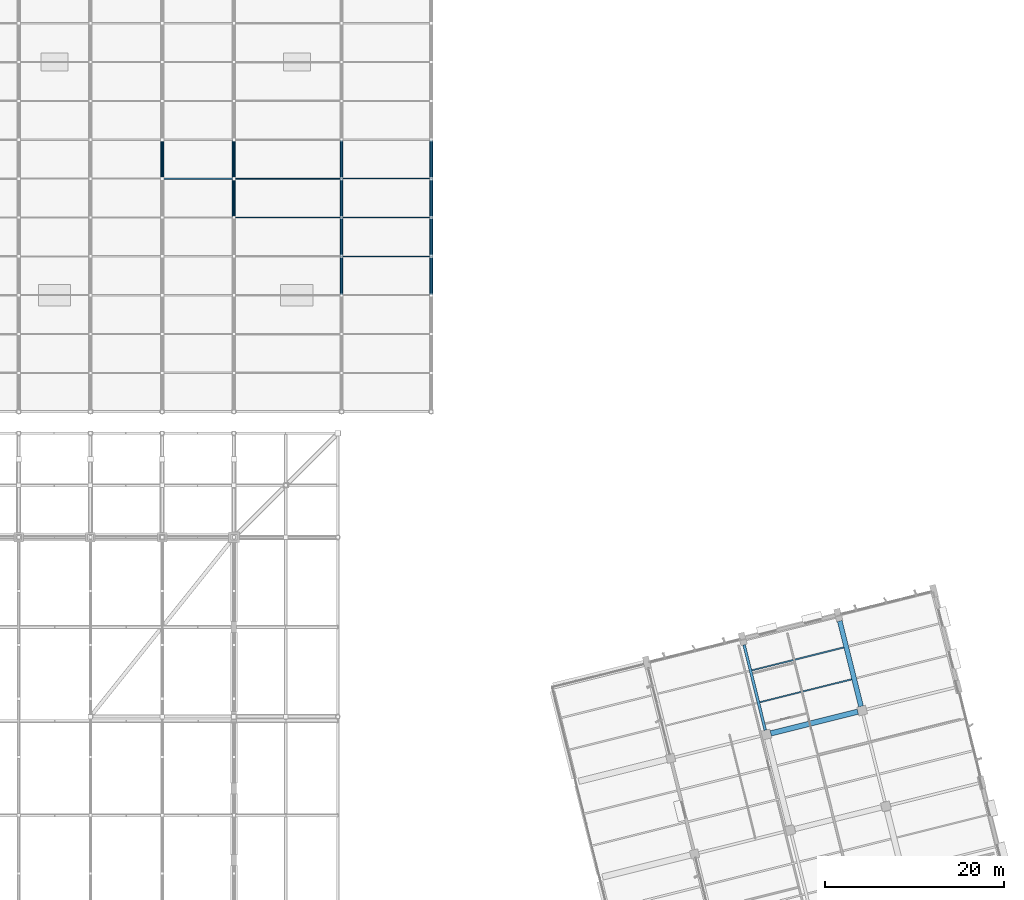
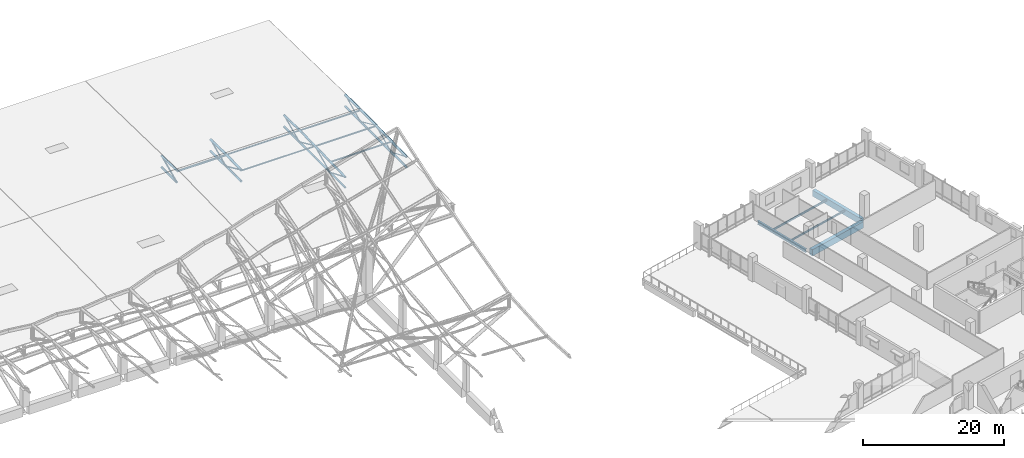
# One storey, part 47 of 75: 39 members, 5 beams.
"""IFC4 building model written with IfcOpenShell, lengths in metres."""

from ifc_helpers import new_model, si_unit, direction, frame, origin, origin_2d, place, context, subcontext, project, spatial, rectangle, hollow_circle, i_section, extrude, material, material_profile, profile_set, type_object, element, save


model = new_model("IFC4")

# Units and contexts
model_context = context("Model", 3, precision=1e-05, world=origin(), true_north=direction((0.0, 1.0)))
body_context = subcontext(model_context, "Body", "Model", "MODEL_VIEW")
ifc_project = project(units=[si_unit("LENGTHUNIT", "METRE"), si_unit("AREAUNIT", "SQUARE_METRE"), si_unit("VOLUMEUNIT", "CUBIC_METRE"), si_unit("PLANEANGLEUNIT", "RADIAN"), si_unit("MASSUNIT", "GRAM", prefix="KILO")], contexts=[model_context])

# Site, building, storey
site_placement = place(None, origin())
site = spatial("IfcSite", under=ifc_project, at=site_placement, CompositionType="ELEMENT")
building_placement = place(site_placement, origin())
building = spatial("IfcBuilding", under=site, at=building_placement, Name="Khorjan Park Terminus", CompositionType="ELEMENT")
storey_placement = place(building_placement, frame((0.0, 0.0, 16.2)))
storey = spatial("IfcBuildingStorey", under=building, at=storey_placement, Name="L03", CompositionType="ELEMENT", Elevation=16.2)

# Beams
ifc_material_1 = material(Name="Steel S355", Category="steel")
ifc_material_profile_1 = material_profile(ifc_material_1, i_section(OverallWidth=0.3, OverallDepth=0.6, WebThickness=0.0155, FlangeThickness=0.03, FilletRadius=0.027, at=origin_2d()), Name="HEB 600")
ifc_profile_set_1 = profile_set([ifc_material_profile_1], Name="Steel S355")
beam_type_1 = type_object("IfcBeamType", Name="BM-HEB600", PredefinedType="BEAM", material=ifc_profile_set_1)
beam_1_placement = place(storey_placement, frame((195.2676, 66.4911, -0.65), z_axis=(-0.241926355562, 0.970294614272, 0.0), x_axis=(-0.970294614272, -0.241926355562, 0.0)))
element("IfcBeam", 1, at=beam_1_placement, inside=storey, type_object=beam_type_1, Name="Primary skew-grid floor girder SB-B60 (L03)", PredefinedType="BEAM", context=body_context, shape_type="SweptSolid", body=[
    extrude(i_section(OverallWidth=0.3, OverallDepth=0.6, WebThickness=0.0155, FlangeThickness=0.03, FilletRadius=0.027, at=origin_2d()), origin(), (0.0, 0.0, 1.0), 9.81),
])
ifc_material_2 = material(Name="Concrete C40/50", Category="concrete")
ifc_material_profile_2 = material_profile(ifc_material_2, rectangle(XDim=0.55, YDim=1.05, at=origin_2d()), Name="RC 550x1050")
ifc_profile_set_2 = profile_set([ifc_material_profile_2], Name="Concrete C40/50")
beam_type_2 = type_object("IfcBeamType", Name="BM-RC550x1050", PredefinedType="BEAM", material=ifc_profile_set_2)
beam_2_placement = place(storey_placement, frame((205.9408, 69.1523, -0.875), z_axis=(-0.241916758476, 0.97029700709, 0.0), x_axis=(-0.97029700709, -0.241916758476, 0.0)))
element("IfcBeam", 2, at=beam_2_placement, inside=storey, type_object=beam_type_2, Name="Primary skew-grid floor girder GB-105 (L03)", PredefinedType="BEAM", context=body_context, shape_type="SweptSolid", body=[
    extrude(rectangle(XDim=0.55, YDim=1.05, at=origin_2d()), origin(), (0.0, 0.0, 1.0), 9.81),
])
ifc_material_profile_3 = material_profile(ifc_material_2, rectangle(XDim=0.6, YDim=1.1, at=origin_2d()), Name="RC 600x1100")
ifc_profile_set_3 = profile_set([ifc_material_profile_3], Name="Concrete C40/50")
beam_type_3 = type_object("IfcBeamType", Name="BM-RC600x1100", PredefinedType="BEAM", material=ifc_profile_set_3)
beam_3_placement = place(storey_placement, frame((195.8676, 66.1306, -0.9), z_axis=(0.970296854054, 0.241917372283, 0.0), x_axis=(-0.241917372283, 0.970296854054, 0.0)))
element("IfcBeam", 3, at=beam_3_placement, inside=storey, type_object=beam_type_3, Name="Primary skew-grid floor girder GB-11 (L03)", PredefinedType="BEAM", context=body_context, shape_type="SweptSolid", body=[
    extrude(rectangle(XDim=0.6, YDim=1.1, at=origin_2d()), origin(), (0.0, 0.0, 1.0), 10.01),
])
ifc_material_profile_4 = material_profile(ifc_material_1, i_section(OverallWidth=0.15, OverallDepth=0.3, WebThickness=0.0071, FlangeThickness=0.0107, FilletRadius=0.015, at=origin_2d()), Name="IPE 300")
ifc_profile_set_4 = profile_set([ifc_material_profile_4], Name="Steel S355")
beam_type_4 = type_object("IfcBeamType", Name="JS-IPE300", PredefinedType="JOIST", material=ifc_profile_set_4)
beam_4_placement = place(storey_placement, frame((194.6458, 69.6049, -0.5), z_axis=(0.970296385626, 0.241919251074, 0.0), x_axis=(-0.241919251074, 0.970296385626, 0.0)))
element("IfcBeam", 4, at=beam_4_placement, inside=storey, type_object=beam_type_4, Name="Secondary composite floor joist SJ-30 (L03)", PredefinedType="JOIST", context=body_context, shape_type="SweptSolid", body=[
    extrude(i_section(OverallWidth=0.15, OverallDepth=0.3, WebThickness=0.0071, FlangeThickness=0.0107, FilletRadius=0.015, at=origin_2d()), origin(), (0.0, 0.0, 1.0), 10.575),
])
ifc_material_profile_5 = material_profile(ifc_material_1, i_section(OverallWidth=0.16, OverallDepth=0.33, WebThickness=0.0075, FlangeThickness=0.0115, FilletRadius=0.018, at=origin_2d()), Name="IPE 330")
ifc_profile_set_5 = profile_set([ifc_material_profile_5], Name="Steel S355")
beam_type_5 = type_object("IfcBeamType", Name="JS-IPE330", PredefinedType="JOIST", material=ifc_profile_set_5)
beam_5_placement = place(storey_placement, frame((193.7588, 73.1626, -0.515), z_axis=(0.970295832192, 0.241921470792, 0.0), x_axis=(-0.241921470792, 0.970295832192, 0.0)))
element("IfcBeam", 5, at=beam_5_placement, inside=storey, type_object=beam_type_5, Name="Secondary composite floor joist SJ-33 (L03)", PredefinedType="JOIST", context=body_context, shape_type="SweptSolid", body=[
    extrude(i_section(OverallWidth=0.16, OverallDepth=0.33, WebThickness=0.0075, FlangeThickness=0.0115, FilletRadius=0.018, at=origin_2d()), origin(), (0.0, 0.0, 1.0), 10.5749),
])

# Members
ifc_material_profile_6 = material_profile(ifc_material_1, hollow_circle(Radius=0.0842, WallThickness=0.008, at=origin_2d()), Name="CHS 168.3x8")
ifc_profile_set_6 = profile_set([ifc_material_profile_6], Name="Steel S355")
member_type_1 = type_object("IfcMemberType", Name="MB-BR-168", PredefinedType="BRACE", material=ifc_profile_set_6)
member_1_placement = place(storey_placement, frame((158.0, 115.0, -0.825), z_axis=(0.0, 0.92537575721, -0.379051062481), x_axis=(-1.0, 0.0, 0.0)))
element("IfcMember", 6, at=member_1_placement, inside=storey, type_object=member_type_1, Name="Train shed flat truss web diagonal TB-17 (T19)", PredefinedType="BRACE", context=body_context, shape_type="SweptSolid", body=[
    extrude(hollow_circle(Radius=0.0842, WallThickness=0.008, at=origin_2d()), origin(), (0.0, 0.0, 1.0), 4.6827),
])
for number, where, z_axis, x_axis, name in (
    (7, (158.0, 119.3333, -2.6), (0.0, 0.911269553162, 0.411810395061), (-1.0, 0.0, 0.0), "Train shed flat truss web diagonal TB-17 (T19)"),
    (8, (158.0, 123.6667, -0.6417), (0.0, 0.911265986802, -0.411818286745), (-1.0, 0.0, 0.0), "Train shed flat truss web diagonal TB-17 (T19)"),
    (9, (158.0, 128.0, -2.6), (0.0, 0.911265986802, 0.411818286745), (-1.0, 0.0, 0.0), "Train shed flat truss web diagonal TB-17 (T19)"),
):
    element("IfcMember", number, at=place(storey_placement, frame(where, z_axis=z_axis, x_axis=x_axis)), inside=storey, type_object=member_type_1, Name=name, PredefinedType="BRACE", context=body_context, shape_type="SweptSolid", body=[
        extrude(hollow_circle(Radius=0.0842, WallThickness=0.008, at=origin_2d()), origin(), (0.0, 0.0, 1.0), 4.7553),
    ])
ifc_material_profile_7 = material_profile(ifc_material_1, hollow_circle(Radius=0.0969, WallThickness=0.01, at=origin_2d()), Name="CHS 193.7x10")
ifc_profile_set_7 = profile_set([ifc_material_profile_7], Name="Steel S355")
member_type_2 = type_object("IfcMemberType", Name="MB-BR-194", PredefinedType="BRACE", material=ifc_profile_set_7)
member_2_placement = place(storey_placement, frame((148.0, 115.0, -0.825), z_axis=(0.0, 0.92537575721, -0.379051062481), x_axis=(-1.0, 0.0, 0.0)))
element("IfcMember", 10, at=member_2_placement, inside=storey, type_object=member_type_2, Name="Train shed flat truss web diagonal TB-19 (T18)", PredefinedType="BRACE", context=body_context, shape_type="SweptSolid", body=[
    extrude(hollow_circle(Radius=0.0969, WallThickness=0.01, at=origin_2d()), origin(), (0.0, 0.0, 1.0), 4.6827),
])
for number, where, z_axis, x_axis, name in (
    (11, (148.0, 119.3333, -2.6), (0.0, 0.911269553162, 0.411810395061), (-1.0, 0.0, 0.0), "Train shed flat truss web diagonal TB-19 (T18)"),
    (12, (148.0, 123.6667, -0.6417), (0.0, 0.911265986802, -0.411818286745), (-1.0, 0.0, 0.0), "Train shed flat truss web diagonal TB-19 (T18)"),
    (13, (148.0, 128.0, -2.6), (0.0, 0.911265986802, 0.411818286745), (-1.0, 0.0, 0.0), "Train shed flat truss web diagonal TB-19 (T18)"),
):
    element("IfcMember", number, at=place(storey_placement, frame(where, z_axis=z_axis, x_axis=x_axis)), inside=storey, type_object=member_type_2, Name=name, PredefinedType="BRACE", context=body_context, shape_type="SweptSolid", body=[
        extrude(hollow_circle(Radius=0.0969, WallThickness=0.01, at=origin_2d()), origin(), (0.0, 0.0, 1.0), 4.7553),
    ])
ifc_material_profile_8 = material_profile(ifc_material_1, hollow_circle(Radius=0.1095, WallThickness=0.01, at=origin_2d()), Name="CHS 219.1x10")
ifc_profile_set_8 = profile_set([ifc_material_profile_8], Name="Steel S355")
member_type_3 = type_object("IfcMemberType", Name="MB-BR-219", PredefinedType="BRACE", material=ifc_profile_set_8)
for number, where, z_axis, x_axis, name in (
    (14, (136.0, 123.6667, -0.6417), (0.0, 0.911265986802, -0.411818286745), (-1.0, 0.0, 0.0), "Train shed flat truss web diagonal TB-22 (T17)"),
    (15, (136.0, 128.0, -2.6), (0.0, 0.911265986802, 0.411818286745), (-1.0, 0.0, 0.0), "Train shed flat truss web diagonal TB-22 (T17)"),
):
    element("IfcMember", number, at=place(storey_placement, frame(where, z_axis=z_axis, x_axis=x_axis)), inside=storey, type_object=member_type_3, Name=name, PredefinedType="BRACE", context=body_context, shape_type="SweptSolid", body=[
        extrude(hollow_circle(Radius=0.1095, WallThickness=0.01, at=origin_2d()), origin(), (0.0, 0.0, 1.0), 4.7553),
    ])
ifc_material_profile_9 = material_profile(ifc_material_1, hollow_circle(Radius=0.1222, WallThickness=0.0125, at=origin_2d()), Name="CHS 244.5x12.5")
ifc_profile_set_9 = profile_set([ifc_material_profile_9], Name="Steel S355")
member_type_4 = type_object("IfcMemberType", Name="MB-BR-245", PredefinedType="BRACE", material=ifc_profile_set_9)
member_3_placement = place(storey_placement, frame((128.0, 128.0, -2.6), z_axis=(0.0, 0.911265986802, 0.411818286745), x_axis=(-1.0, 0.0, 0.0)))
element("IfcMember", 16, at=member_3_placement, inside=storey, type_object=member_type_4, Name="Train shed flat truss web diagonal TB-24 (T16)", PredefinedType="BRACE", context=body_context, shape_type="SweptSolid", body=[
    extrude(hollow_circle(Radius=0.1222, WallThickness=0.0125, at=origin_2d()), origin(), (0.0, 0.0, 1.0), 4.7553),
])
ifc_material_profile_10 = material_profile(ifc_material_1, hollow_circle(Radius=0.162, WallThickness=0.0125, at=origin_2d()), Name="CHS 323.9x12.5")
ifc_profile_set_10 = profile_set([ifc_material_profile_10], Name="Steel S355")
member_type_5 = type_object("IfcMemberType", Name="MB-CH-324", PredefinedType="CHORD", material=ifc_profile_set_10)
for number, where, z_axis, x_axis, name in (
    (17, (128.0, 128.0, -2.6), (0.0, 1.0, 0.0), (-1.0, 0.0, 0.0), "Train shed flat truss bottom chord TC-32 (T16)"),
    (18, (148.0, 115.0, -2.6), (0.0, 1.0, 0.0), (-1.0, 0.0, 0.0), "Train shed flat truss bottom chord TC-32 (T18)"),
):
    element("IfcMember", number, at=place(storey_placement, frame(where, z_axis=z_axis, x_axis=x_axis)), inside=storey, type_object=member_type_5, Name=name, PredefinedType="CHORD", context=body_context, shape_type="SweptSolid", body=[
        extrude(hollow_circle(Radius=0.162, WallThickness=0.0125, at=origin_2d()), origin(), (0.0, 0.0, 1.0), 4.3333),
    ])
member_4_placement = place(storey_placement, frame((148.0, 119.3333, -2.6), z_axis=(0.0, 1.0, 0.0), x_axis=(-1.0, 0.0, 0.0)))
element("IfcMember", 19, at=member_4_placement, inside=storey, type_object=member_type_5, Name="Train shed flat truss bottom chord TC-32 (T18)", PredefinedType="CHORD", context=body_context, shape_type="SweptSolid", body=[
    extrude(hollow_circle(Radius=0.162, WallThickness=0.0125, at=origin_2d()), origin(), (0.0, 0.0, 1.0), 4.3334),
])
for number, where, z_axis, x_axis, name in (
    (20, (148.0, 123.6667, -2.6), (0.0, 1.0, 0.0), (-1.0, 0.0, 0.0), "Train shed flat truss bottom chord TC-32 (T18)"),
    (21, (148.0, 128.0, -2.6), (0.0, 1.0, 0.0), (-1.0, 0.0, 0.0), "Train shed flat truss bottom chord TC-32 (T18)"),
):
    element("IfcMember", number, at=place(storey_placement, frame(where, z_axis=z_axis, x_axis=x_axis)), inside=storey, type_object=member_type_5, Name=name, PredefinedType="CHORD", context=body_context, shape_type="SweptSolid", body=[
        extrude(hollow_circle(Radius=0.162, WallThickness=0.0125, at=origin_2d()), origin(), (0.0, 0.0, 1.0), 4.3333),
    ])
ifc_material_profile_11 = material_profile(ifc_material_1, hollow_circle(Radius=0.1778, WallThickness=0.016, at=origin_2d()), Name="CHS 355.6x16")
ifc_profile_set_11 = profile_set([ifc_material_profile_11], Name="Steel S355")
member_type_6 = type_object("IfcMemberType", Name="MB-CH-356", PredefinedType="CHORD", material=ifc_profile_set_11)
member_5_placement = place(storey_placement, frame((128.0, 128.0, -0.55), z_axis=(0.0, 0.999776166375, -0.021156964544), x_axis=(-1.0, 0.0, 0.0)))
element("IfcMember", 22, at=member_5_placement, inside=storey, type_object=member_type_6, Name="Train shed flat truss top chord TC-36 (T16)", PredefinedType="CHORD", context=body_context, shape_type="SweptSolid", body=[
    extrude(hollow_circle(Radius=0.1778, WallThickness=0.016, at=origin_2d()), origin(), (0.0, 0.0, 1.0), 4.3343),
])
for number, where, z_axis, x_axis, name in (
    (23, (136.0, 123.6667, -2.6), (0.0, 1.0, 0.0), (-1.0, 0.0, 0.0), "Train shed flat truss bottom chord TC-36 (T17)"),
    (24, (136.0, 128.0, -2.6), (0.0, 1.0, 0.0), (-1.0, 0.0, 0.0), "Train shed flat truss bottom chord TC-36 (T17)"),
):
    element("IfcMember", number, at=place(storey_placement, frame(where, z_axis=z_axis, x_axis=x_axis)), inside=storey, type_object=member_type_6, Name=name, PredefinedType="CHORD", context=body_context, shape_type="SweptSolid", body=[
        extrude(hollow_circle(Radius=0.1778, WallThickness=0.016, at=origin_2d()), origin(), (0.0, 0.0, 1.0), 4.3333),
    ])
member_6_placement = place(storey_placement, frame((148.0, 115.0, -0.825), z_axis=(0.0, 0.999776166375, 0.021156964544), x_axis=(-1.0, 0.0, 0.0)))
element("IfcMember", 25, at=member_6_placement, inside=storey, type_object=member_type_6, Name="Train shed flat truss top chord TC-36 (T18)", PredefinedType="CHORD", context=body_context, shape_type="SweptSolid", body=[
    extrude(hollow_circle(Radius=0.1778, WallThickness=0.016, at=origin_2d()), origin(), (0.0, 0.0, 1.0), 4.3343),
])
member_7_placement = place(storey_placement, frame((148.0, 119.3333, -0.7333), z_axis=(0.0, 0.999776664437, 0.021133415439), x_axis=(-1.0, 0.0, 0.0)))
element("IfcMember", 26, at=member_7_placement, inside=storey, type_object=member_type_6, Name="Train shed flat truss top chord TC-36 (T18)", PredefinedType="CHORD", context=body_context, shape_type="SweptSolid", body=[
    extrude(hollow_circle(Radius=0.1778, WallThickness=0.016, at=origin_2d()), origin(), (0.0, 0.0, 1.0), 4.3344),
])
for number, where, z_axis, x_axis, name in (
    (27, (148.0, 123.6667, -0.6417), (0.0, 0.999776166375, 0.021156964544), (-1.0, 0.0, 0.0), "Train shed flat truss top chord TC-36 (T18)"),
    (28, (148.0, 128.0, -0.55), (0.0, 0.999776166375, -0.021156964544), (-1.0, 0.0, 0.0), "Train shed flat truss top chord TC-36 (T18)"),
):
    element("IfcMember", number, at=place(storey_placement, frame(where, z_axis=z_axis, x_axis=x_axis)), inside=storey, type_object=member_type_6, Name=name, PredefinedType="CHORD", context=body_context, shape_type="SweptSolid", body=[
        extrude(hollow_circle(Radius=0.1778, WallThickness=0.016, at=origin_2d()), origin(), (0.0, 0.0, 1.0), 4.3343),
    ])
member_8_placement = place(storey_placement, frame((158.0, 115.0, -2.6), z_axis=(0.0, 1.0, 0.0), x_axis=(-1.0, 0.0, 0.0)))
element("IfcMember", 29, at=member_8_placement, inside=storey, type_object=member_type_6, Name="Train shed flat truss bottom chord TC-36 (T19)", PredefinedType="CHORD", context=body_context, shape_type="SweptSolid", body=[
    extrude(hollow_circle(Radius=0.1778, WallThickness=0.016, at=origin_2d()), origin(), (0.0, 0.0, 1.0), 4.3333),
])
member_9_placement = place(storey_placement, frame((158.0, 119.3333, -2.6), z_axis=(0.0, 1.0, 0.0), x_axis=(-1.0, 0.0, 0.0)))
element("IfcMember", 30, at=member_9_placement, inside=storey, type_object=member_type_6, Name="Train shed flat truss bottom chord TC-36 (T19)", PredefinedType="CHORD", context=body_context, shape_type="SweptSolid", body=[
    extrude(hollow_circle(Radius=0.1778, WallThickness=0.016, at=origin_2d()), origin(), (0.0, 0.0, 1.0), 4.3334),
])
for number, where, z_axis, x_axis, name in (
    (31, (158.0, 123.6667, -2.6), (0.0, 1.0, 0.0), (-1.0, 0.0, 0.0), "Train shed flat truss bottom chord TC-36 (T19)"),
    (32, (158.0, 128.0, -2.6), (0.0, 1.0, 0.0), (-1.0, 0.0, 0.0), "Train shed flat truss bottom chord TC-36 (T19)"),
):
    element("IfcMember", number, at=place(storey_placement, frame(where, z_axis=z_axis, x_axis=x_axis)), inside=storey, type_object=member_type_6, Name=name, PredefinedType="CHORD", context=body_context, shape_type="SweptSolid", body=[
        extrude(hollow_circle(Radius=0.1778, WallThickness=0.016, at=origin_2d()), origin(), (0.0, 0.0, 1.0), 4.3333),
    ])
ifc_material_profile_12 = material_profile(ifc_material_1, hollow_circle(Radius=0.2032, WallThickness=0.016, at=origin_2d()), Name="CHS 406.4x16")
ifc_profile_set_12 = profile_set([ifc_material_profile_12], Name="Steel S355")
member_type_7 = type_object("IfcMemberType", Name="MB-CH-406", PredefinedType="CHORD", material=ifc_profile_set_12)
for number, where, z_axis, x_axis, name in (
    (33, (136.0, 123.6667, -0.6417), (0.0, 0.999776166375, 0.021156964544), (-1.0, 0.0, 0.0), "Train shed flat truss top chord TC-41 (T17)"),
    (34, (136.0, 128.0, -0.55), (0.0, 0.999776166375, -0.021156964544), (-1.0, 0.0, 0.0), "Train shed flat truss top chord TC-41 (T17)"),
    (35, (158.0, 115.0, -0.825), (0.0, 0.999776166375, 0.021156964544), (-1.0, 0.0, 0.0), "Train shed flat truss top chord TC-41 (T19)"),
):
    element("IfcMember", number, at=place(storey_placement, frame(where, z_axis=z_axis, x_axis=x_axis)), inside=storey, type_object=member_type_7, Name=name, PredefinedType="CHORD", context=body_context, shape_type="SweptSolid", body=[
        extrude(hollow_circle(Radius=0.2032, WallThickness=0.016, at=origin_2d()), origin(), (0.0, 0.0, 1.0), 4.3343),
    ])
member_10_placement = place(storey_placement, frame((158.0, 119.3333, -0.7333), z_axis=(0.0, 0.999776664437, 0.021133415439), x_axis=(-1.0, 0.0, 0.0)))
element("IfcMember", 36, at=member_10_placement, inside=storey, type_object=member_type_7, Name="Train shed flat truss top chord TC-41 (T19)", PredefinedType="CHORD", context=body_context, shape_type="SweptSolid", body=[
    extrude(hollow_circle(Radius=0.2032, WallThickness=0.016, at=origin_2d()), origin(), (0.0, 0.0, 1.0), 4.3344),
])
for number, where, z_axis, x_axis, name in (
    (37, (158.0, 123.6667, -0.6417), (0.0, 0.999776166375, 0.021156964544), (-1.0, 0.0, 0.0), "Train shed flat truss top chord TC-41 (T19)"),
    (38, (158.0, 128.0, -0.55), (0.0, 0.999776166375, -0.021156964544), (-1.0, 0.0, 0.0), "Train shed flat truss top chord TC-41 (T19)"),
):
    element("IfcMember", number, at=place(storey_placement, frame(where, z_axis=z_axis, x_axis=x_axis)), inside=storey, type_object=member_type_7, Name=name, PredefinedType="CHORD", context=body_context, shape_type="SweptSolid", body=[
        extrude(hollow_circle(Radius=0.2032, WallThickness=0.016, at=origin_2d()), origin(), (0.0, 0.0, 1.0), 4.3343),
    ])
ifc_material_profile_13 = material_profile(ifc_material_1, i_section(OverallWidth=0.11, OverallDepth=0.22, WebThickness=0.0059, FlangeThickness=0.0092, FilletRadius=0.012, at=origin_2d()), Name="IPE 220")
ifc_profile_set_13 = profile_set([ifc_material_profile_13], Name="Steel S355")
member_type_8 = type_object("IfcMemberType", Name="MB-PR-IPE220", PredefinedType="PURLIN", material=ifc_profile_set_13)
for number, where, z_axis, x_axis, name in (
    (39, (136.0, 123.6667, -0.7317), (1.0, 0.0, 0.0), (0.0, 1.0, 0.0), "Train shed secondary roof purlin PR-22 (Bay 17)"),
    (40, (136.0, 128.0, -0.64), (1.0, 0.0, 0.0), (0.0, 1.0, 0.0), "Train shed secondary roof purlin PR-22 (Bay 17)"),
):
    element("IfcMember", number, at=place(storey_placement, frame(where, z_axis=z_axis, x_axis=x_axis)), inside=storey, type_object=member_type_8, Name=name, PredefinedType="PURLIN", context=body_context, shape_type="SweptSolid", body=[
        extrude(i_section(OverallWidth=0.11, OverallDepth=0.22, WebThickness=0.0059, FlangeThickness=0.0092, FilletRadius=0.012, at=origin_2d()), origin(), (0.0, 0.0, 1.0), 12.0),
    ])
ifc_material_profile_14 = material_profile(ifc_material_1, i_section(OverallWidth=0.12, OverallDepth=0.24, WebThickness=0.0062, FlangeThickness=0.0098, FilletRadius=0.015, at=origin_2d()), Name="IPE 240")
ifc_profile_set_14 = profile_set([ifc_material_profile_14], Name="Steel S355")
member_type_9 = type_object("IfcMemberType", Name="MB-PR-IPE240", PredefinedType="PURLIN", material=ifc_profile_set_14)
for number, where, z_axis, x_axis, name in (
    (41, (148.0, 119.3333, -0.8333), (1.0, 0.0, 0.0), (0.0, 1.0, 0.0), "Train shed secondary roof purlin PR-24 (Bay 18)"),
    (42, (148.0, 123.6667, -0.7417), (1.0, 0.0, 0.0), (0.0, 1.0, 0.0), "Train shed secondary roof purlin PR-24 (Bay 18)"),
    (43, (148.0, 128.0, -0.65), (1.0, 0.0, 0.0), (0.0, 1.0, 0.0), "Train shed secondary roof purlin PR-24 (Bay 18)"),
):
    element("IfcMember", number, at=place(storey_placement, frame(where, z_axis=z_axis, x_axis=x_axis)), inside=storey, type_object=member_type_9, Name=name, PredefinedType="PURLIN", context=body_context, shape_type="SweptSolid", body=[
        extrude(i_section(OverallWidth=0.12, OverallDepth=0.24, WebThickness=0.0062, FlangeThickness=0.0098, FilletRadius=0.015, at=origin_2d()), origin(), (0.0, 0.0, 1.0), 10.0),
    ])
ifc_material_profile_15 = material_profile(ifc_material_1, i_section(OverallWidth=0.15, OverallDepth=0.3, WebThickness=0.0071, FlangeThickness=0.0107, FilletRadius=0.015, at=origin_2d()), Name="IPE 300")
ifc_profile_set_15 = profile_set([ifc_material_profile_15], Name="Steel S355")
member_type_10 = type_object("IfcMemberType", Name="MB-PR-IPE300", PredefinedType="PURLIN", material=ifc_profile_set_15)
member_11_placement = place(storey_placement, frame((128.0, 128.0, -0.68), z_axis=(1.0, 0.0, 0.0), x_axis=(0.0, 1.0, 0.0)))
element("IfcMember", 44, at=member_11_placement, inside=storey, type_object=member_type_10, Name="Train shed secondary roof purlin PR-30 (Bay 16)", PredefinedType="PURLIN", context=body_context, shape_type="SweptSolid", body=[
    extrude(i_section(OverallWidth=0.15, OverallDepth=0.3, WebThickness=0.0071, FlangeThickness=0.0107, FilletRadius=0.015, at=origin_2d()), origin(), (0.0, 0.0, 1.0), 8.0),
])

save(model, "model.ifc")
